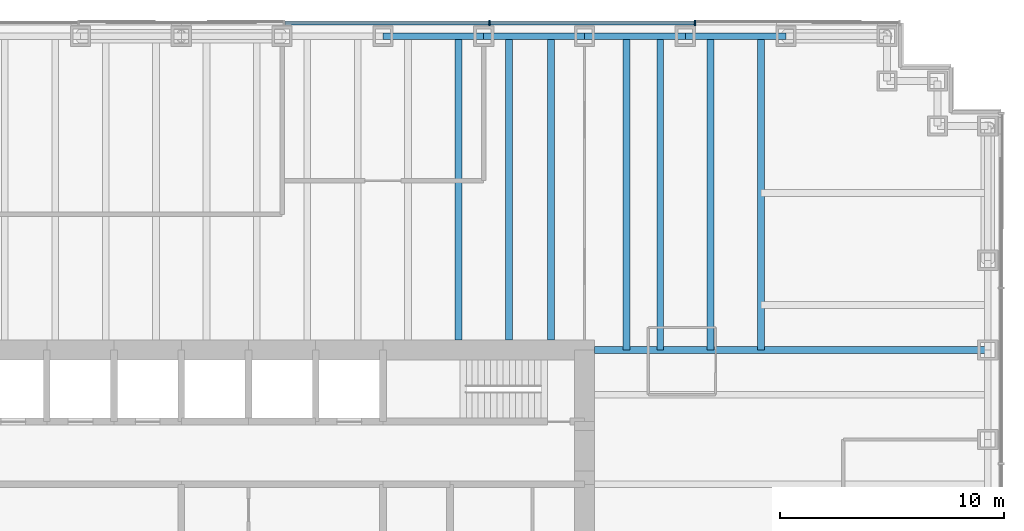
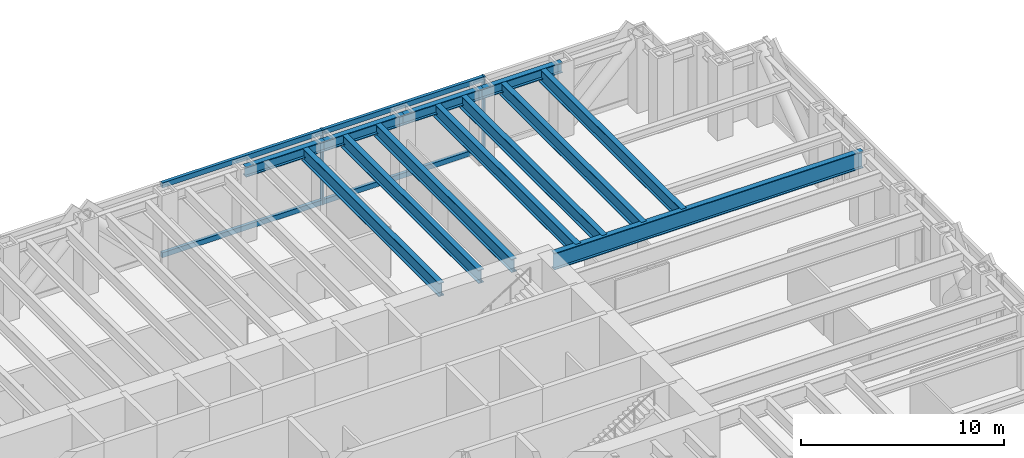
# One storey, part 6 of 13: 12 beams, 6 members, 1 element without a shape of its own.
"""IFC4 building model written with IfcOpenShell, lengths in metres."""

from ifc_helpers import new_model, si_unit, direction, frame, origin, origin_2d, place, context, subcontext, project, spatial, rectangle, i_section, extrude, material, material_profile, profile_set, type_object, element, aggregate, save


model = new_model("IFC4")

# Units and contexts
model_context = context("Model", 3, precision=1e-05, world=origin(), true_north=direction((0.0, 1.0)))
body_context = subcontext(model_context, "Body", "Model", "MODEL_VIEW")
ifc_project = project(units=[si_unit("LENGTHUNIT", "METRE"), si_unit("AREAUNIT", "SQUARE_METRE"), si_unit("VOLUMEUNIT", "CUBIC_METRE"), si_unit("PLANEANGLEUNIT", "RADIAN"), si_unit("MASSUNIT", "GRAM", prefix="KILO")], contexts=[model_context])

# Site, building, storey
site_placement = place(None, origin())
site = spatial("IfcSite", under=ifc_project, at=site_placement, CompositionType="ELEMENT")
building_placement = place(site_placement, origin())
building = spatial("IfcBuilding", under=site, at=building_placement, Name="Rheinbord Bourse Tower", CompositionType="ELEMENT")
storey_placement = place(building_placement, frame((0.0, 0.0, 59.0)))
storey = spatial("IfcBuildingStorey", under=building, at=storey_placement, Name="L12", CompositionType="ELEMENT", Elevation=59.0)

# Curtain wall, members
ifc_material_1 = material(Name="Dark glass and black aluminium", Category="aluminium")
curtain_wall_type = type_object("IfcCurtainWallType", Name="CW1 DARK GLASS CURTAIN WALL", PredefinedType="USERDEFINED", material=ifc_material_1)
curtain_wall_placement = place(storey_placement, origin())
curtain_wall = element("IfcCurtainWall", 1, at=curtain_wall_placement, inside=storey, type_object=curtain_wall_type, Name="Curtain wall CW1 N L12", ObjectType="UNITISED CURTAIN WALL", PredefinedType="USERDEFINED")
ifc_material_2 = material(Name="Black anodised aluminium", Category="aluminium")
ifc_material_profile_1 = material_profile(ifc_material_2, rectangle(XDim=0.25, YDim=0.080078125, at=origin_2d()), Name="CW1 MULLION 80x250")
ifc_profile_set_1 = profile_set([ifc_material_profile_1], Name="Black anodised aluminium")
member_type_1 = type_object("IfcMemberType", Name="CW1 BLACK MULLION", PredefinedType="MULLION", material=ifc_profile_set_1)
member_1_placement = place(storey_placement, frame((58.928466796875, 46.60009765625, 0.0), z_axis=(0.0, 0.0, 1.0), x_axis=(0.0, -1.0, 0.0)))
member_1 = element("IfcMember", 2, at=member_1_placement, type_object=member_type_1, Name="CW1 mullion 2", PredefinedType="MULLION", context=body_context, shape_type="SweptSolid", body=[
    extrude(rectangle(XDim=0.25, YDim=0.080078125, at=origin_2d()), origin(), (0.0, 0.0, 1.0), 4.5),
])
member_2_placement = place(storey_placement, frame((49.757080078125, 46.60009765625, 0.0), z_axis=(0.0, 0.0, 1.0), x_axis=(0.0, -1.0, 0.0)))
member_2 = element("IfcMember", 3, at=member_2_placement, type_object=member_type_1, Name="CW1 mullion 3", PredefinedType="MULLION", context=body_context, shape_type="SweptSolid", body=[
    extrude(rectangle(XDim=0.25, YDim=0.080078125, at=origin_2d()), origin(), (0.0, 0.0, 1.0), 4.5),
])
ifc_material_3 = material(Name="Black anodised aluminium", Category="aluminium")
ifc_material_profile_2 = material_profile(ifc_material_3, rectangle(XDim=0.179931640625, YDim=0.300048828125, at=origin_2d()), Name="CW1 TRANSOM 300x180")
ifc_profile_set_2 = profile_set([ifc_material_profile_2], Name="Black anodised aluminium")
member_type_2 = type_object("IfcMemberType", Name="CW1 BLACK TRANSOM", PredefinedType="USERDEFINED", material=ifc_profile_set_2)
member_3_placement = place(storey_placement, frame((58.888671875, 46.60009765625, 0.14990234375), z_axis=(-1.0, 0.0, 0.0), x_axis=(0.0, -1.0, 0.0)))
member_3 = element("IfcMember", 4, at=member_3_placement, type_object=member_type_2, Name="CW1 transom 2.1", ObjectType="TRANSOM", PredefinedType="USERDEFINED", context=body_context, shape_type="SweptSolid", body=[
    extrude(rectangle(XDim=0.179931640625, YDim=0.300048828125, at=origin_2d()), origin(), (0.0, 0.0, 1.0), 9.091552734375),
])
member_4_placement = place(storey_placement, frame((58.888671875, 46.60009765625, 4.35009765625), z_axis=(-1.0, 0.0, 0.0), x_axis=(0.0, -1.0, 0.0)))
member_4 = element("IfcMember", 5, at=member_4_placement, type_object=member_type_2, Name="CW1 transom 2.2", ObjectType="TRANSOM", PredefinedType="USERDEFINED", context=body_context, shape_type="SweptSolid", body=[
    extrude(rectangle(XDim=0.179931640625, YDim=0.300048828125, at=origin_2d()), origin(), (0.0, 0.0, 1.0), 9.091552734375),
])
member_5_placement = place(storey_placement, frame((49.717041015625, 46.60009765625, 0.14990234375), z_axis=(-1.0, 0.0, 0.0), x_axis=(0.0, -1.0, 0.0)))
member_5 = element("IfcMember", 6, at=member_5_placement, type_object=member_type_2, Name="CW1 transom 3.1", ObjectType="TRANSOM", PredefinedType="USERDEFINED", context=body_context, shape_type="SweptSolid", body=[
    extrude(rectangle(XDim=0.179931640625, YDim=0.300048828125, at=origin_2d()), origin(), (0.0, 0.0, 1.0), 9.09130859375),
])
member_6_placement = place(storey_placement, frame((49.717041015625, 46.60009765625, 4.35009765625), z_axis=(-1.0, 0.0, 0.0), x_axis=(0.0, -1.0, 0.0)))
member_6 = element("IfcMember", 7, at=member_6_placement, type_object=member_type_2, Name="CW1 transom 3.2", ObjectType="TRANSOM", PredefinedType="USERDEFINED", context=body_context, shape_type="SweptSolid", body=[
    extrude(rectangle(XDim=0.179931640625, YDim=0.300048828125, at=origin_2d()), origin(), (0.0, 0.0, 1.0), 9.09130859375),
])
aggregate(curtain_wall, [member_1, member_2, member_3, member_4, member_5, member_6])

# Beams
ifc_material_4 = material(Name="Steel S460", Category="steel")
ifc_material_profile_3 = material_profile(ifc_material_4, i_section(OverallWidth=0.300048828125, OverallDepth=0.800048828125, WebThickness=0.017578125, FlangeThickness=0.032958984375, at=origin_2d()), Name="HEB 800")
ifc_profile_set_3 = profile_set([ifc_material_profile_3], Name="Steel S460")
beam_type_1 = type_object("IfcBeamType", Name="FLOOR BEAM HEB 800", PredefinedType="BEAM", material=ifc_profile_set_3)
for number, where, z_axis, x_axis, name in (
    (8, (48.375, 46.0, 3.919921875), (0.0, -1.0, 0.0), (1.0, 0.0, 0.0), "Floor beam N-45b L13"),
    (9, (50.625, 46.0, 3.919921875), (0.0, -1.0, 0.0), (1.0, 0.0, 0.0), "Floor beam N-49.5a L13"),
    (10, (52.5, 46.0, 3.919921875), (0.0, -1.0, 0.0), (1.0, 0.0, 0.0), "Floor beam N-49.5b L13"),
):
    element("IfcBeam", number, at=place(storey_placement, frame(where, z_axis=z_axis, x_axis=x_axis)), inside=storey, type_object=beam_type_1, Name=name, PredefinedType="BEAM", context=body_context, shape_type="SweptSolid", body=[
        extrude(i_section(OverallWidth=0.300048828125, OverallDepth=0.800048828125, WebThickness=0.017578125, FlangeThickness=0.032958984375, at=origin_2d()), origin(), (0.0, 0.0, 1.0), 13.550048828125),
    ])
for number, where, z_axis, x_axis, name in (
    (11, (55.875, 46.0, 3.919921875), (0.0, -1.0, 0.0), (1.0, 0.0, 0.0), "Floor beam N-54a L13"),
    (12, (57.375, 46.0, 3.919921875), (0.0, -1.0, 0.0), (1.0, 0.0, 0.0), "Floor beam N-54b L13"),
    (13, (59.625, 46.0, 3.919921875), (0.0, -1.0, 0.0), (1.0, 0.0, 0.0), "Floor beam N-58.5a L13"),
    (14, (61.875, 46.0, 3.919921875), (0.0, -1.0, 0.0), (1.0, 0.0, 0.0), "Floor beam N-58.5b L13"),
):
    element("IfcBeam", number, at=place(storey_placement, frame(where, z_axis=z_axis, x_axis=x_axis)), inside=storey, type_object=beam_type_1, Name=name, PredefinedType="BEAM", context=body_context, shape_type="SweptSolid", body=[
        extrude(i_section(OverallWidth=0.300048828125, OverallDepth=0.800048828125, WebThickness=0.017578125, FlangeThickness=0.032958984375, at=origin_2d()), origin(), (0.0, 0.0, 1.0), 14.0),
    ])
ifc_material_5 = material(Name="Steel S460", Category="steel")
ifc_material_profile_4 = material_profile(ifc_material_5, i_section(OverallWidth=0.302001953125, OverallDepth=1.008056640625, WebThickness=0.02099609375, FlangeThickness=0.0400390625, at=origin_2d()), Name="HEM 1000")
ifc_profile_set_4 = profile_set([ifc_material_profile_4], Name="Steel S460")
beam_type_2 = type_object("IfcBeamType", Name="GIRDER HEM 1000", PredefinedType="BEAM", material=ifc_profile_set_4)
beam_placement = place(storey_placement, frame((54.449951171875, 32.0, 3.81591796875), z_axis=(1.0, 0.0, 0.0), x_axis=(0.0, 1.0, 0.0)))
element("IfcBeam", 15, at=beam_placement, inside=storey, type_object=beam_type_2, Name="Girder east 32 L13", PredefinedType="BEAM", context=body_context, shape_type="SweptSolid", body=[
    extrude(i_section(OverallWidth=0.302001953125, OverallDepth=1.008056640625, WebThickness=0.02099609375, FlangeThickness=0.0400390625, at=origin_2d()), origin(), (0.0, 0.0, 1.0), 17.550048828125),
])
ifc_material_6 = material(Name="Steel S460", Category="steel")
ifc_material_profile_5 = material_profile(ifc_material_6, i_section(OverallWidth=0.304931640625, OverallDepth=0.6201171875, WebThickness=0.02099609375, FlangeThickness=0.0400390625, at=origin_2d()), Name="HEM 600")
ifc_profile_set_5 = profile_set([ifc_material_profile_5], Name="Steel S460")
beam_type_3 = type_object("IfcBeamType", Name="SPANDREL HEM 600", PredefinedType="SPANDREL", material=ifc_profile_set_5)
for number, where, z_axis, x_axis, name in (
    (16, (63.0, 46.0, 4.010009765625), (-1.0, 0.0, 0.0), (0.0, -1.0, 0.0), "Spandrel N-63-N-58.5 under L13"),
    (17, (58.5, 46.0, 4.010009765625), (-1.0, 0.0, 0.0), (0.0, -1.0, 0.0), "Spandrel N-58.5-N-54 under L13"),
    (18, (54.0, 46.0, 4.010009765625), (-1.0, 0.0, 0.0), (0.0, -1.0, 0.0), "Spandrel N-54-N-49.5 under L13"),
    (19, (49.5, 46.0, 4.010009765625), (-1.0, 0.0, 0.0), (0.0, -1.0, 0.0), "Spandrel N-49.5-N-45 under L13"),
):
    element("IfcBeam", number, at=place(storey_placement, frame(where, z_axis=z_axis, x_axis=x_axis)), inside=storey, type_object=beam_type_3, Name=name, PredefinedType="SPANDREL", context=body_context, shape_type="SweptSolid", body=[
        extrude(i_section(OverallWidth=0.304931640625, OverallDepth=0.6201171875, WebThickness=0.02099609375, FlangeThickness=0.0400390625, at=origin_2d()), origin(), (0.0, 0.0, 1.0), 4.5),
    ])

save(model, "model.ifc")
